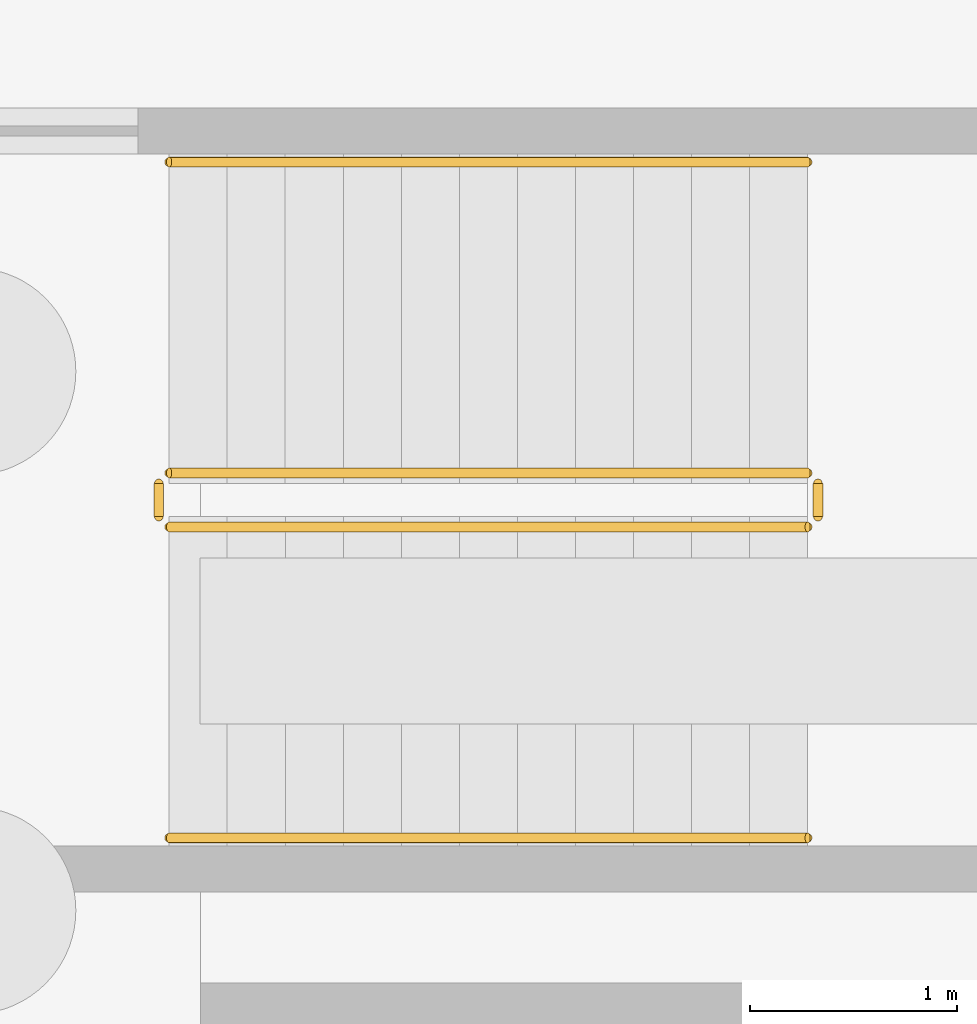
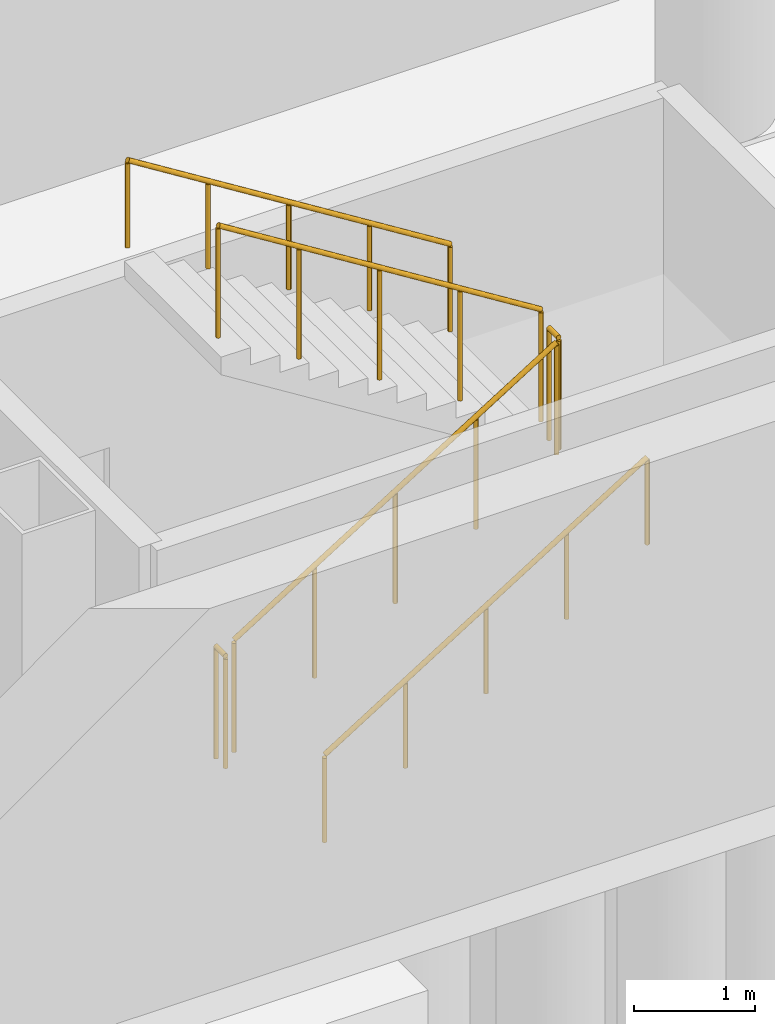
# One storey, part 10 of 16: 6 railings.
"""IFC4 building model written with IfcOpenShell, lengths in metres."""

from ifc_helpers import new_model, si_unit, direction, frame, origin, origin_2d, place, context, subcontext, project, spatial, circle, extrude, material, type_object, element, save


model = new_model("IFC4")

# Units and contexts
model_context = context("Model", 3, precision=1e-05, world=origin(), true_north=direction((0.0, 1.0)))
body_context = subcontext(model_context, "Body", "Model", "MODEL_VIEW")
ifc_project = project(units=[si_unit("LENGTHUNIT", "METRE"), si_unit("AREAUNIT", "SQUARE_METRE"), si_unit("VOLUMEUNIT", "CUBIC_METRE"), si_unit("PLANEANGLEUNIT", "RADIAN"), si_unit("MASSUNIT", "GRAM", prefix="KILO")], contexts=[model_context])

# Site, building, storey
site_placement = place(None, origin())
site = spatial("IfcSite", under=ifc_project, at=site_placement, CompositionType="ELEMENT")
building_placement = place(site_placement, origin())
building = spatial("IfcBuilding", under=site, at=building_placement, Name="Kolveth Station Tower", CompositionType="ELEMENT")
storey_placement = place(building_placement, frame((0.0, 0.0, -8.39990234375)))
storey = spatial("IfcBuildingStorey", under=building, at=storey_placement, Name="B2", CompositionType="ELEMENT", Elevation=-8.39990234375)

# Railings
ifc_material_1 = material(Name="Painted Steel S355 balustrade", Category="steel")
railing_type_1 = type_object("IfcRailingType", Name="Guard_GR2", PredefinedType="BALUSTRADE", material=ifc_material_1)
railing_1_placement = place(storey_placement, frame((4.85009765625, -8.64990234375, 0.1748046875)))
element("IfcRailing", 1, at=railing_1_placement, inside=storey, type_object=railing_type_1, Name="B2 ST5 stair guard 1", PredefinedType="BALUSTRADE", context=body_context, shape_type="SweptSolid", body=[
    extrude(circle(Radius=0.02392578125, at=origin_2d()), frame((0.0, 0.0, 1.1259765625), z_axis=(0.847979421464, 0.0, 0.530029150871), x_axis=(0.0, 1.0, 0.0)), (0.0, 0.0, 1.0), 3.632080078125),
    extrude(circle(Radius=0.02099609375, at=origin_2d()), origin(), (0.0, 0.0, 1.0), 1.101806640625),
    extrude(circle(Radius=0.02099609375, at=origin_2d()), frame((0.77001953125, 0.0, 0.481201171875)), (0.0, 0.0, 1.0), 1.101806640625),
    extrude(circle(Radius=0.02099609375, at=origin_2d()), frame((1.5400390625, 0.0, 0.96240234375)), (0.0, 0.0, 1.0), 1.101806640625),
    extrude(circle(Radius=0.02099609375, at=origin_2d()), frame((2.309814453125, 0.0, 1.44384765625)), (0.0, 0.0, 1.0), 1.101806640625),
    extrude(circle(Radius=0.02099609375, at=origin_2d()), frame((3.079833984375, 0.0, 1.925048828125)), (0.0, 0.0, 1.0), 1.101806640625),
])
railing_2_placement = place(storey_placement, frame((7.97998046875, -8.60009765625, 2.099853515625)))
element("IfcRailing", 2, at=railing_2_placement, inside=storey, type_object=railing_type_1, Name="B2 ST5 stair guard 2", PredefinedType="BALUSTRADE", context=body_context, shape_type="SweptSolid", body=[
    extrude(circle(Radius=0.02392578125, at=origin_2d()), frame((0.0, 0.0, 1.1259765625), z_axis=(0.0, 1.0, 0.0), x_axis=(-1.0, 0.0, 0.0)), (0.0, 0.0, 1.0), 0.16015625),
    extrude(circle(Radius=0.02099609375, at=origin_2d()), origin(), (0.0, 0.0, 1.0), 1.101806640625),
    extrude(circle(Radius=0.02099609375, at=origin_2d()), frame((0.0, 0.16015625, 0.0)), (0.0, 0.0, 1.0), 1.101806640625),
])
railing_3_placement = place(storey_placement, frame((7.929931640625, -8.389892578125, 2.27490234375)))
element("IfcRailing", 3, at=railing_3_placement, inside=storey, type_object=railing_type_1, Name="B2 ST5 stair guard 3", PredefinedType="BALUSTRADE", context=body_context, shape_type="SweptSolid", body=[
    extrude(circle(Radius=0.02392578125, at=origin_2d()), frame((0.0, 0.0, 1.1259765625), z_axis=(-0.847979421464, 0.0, 0.530029150871), x_axis=(0.0, -1.0, 0.0)), (0.0, 0.0, 1.0), 3.632080078125),
    extrude(circle(Radius=0.02099609375, at=origin_2d()), origin(), (0.0, 0.0, 1.0), 1.101806640625),
    extrude(circle(Radius=0.02099609375, at=origin_2d()), frame((-0.77001953125, 0.0, 0.481201171875)), (0.0, 0.0, 1.0), 1.101806640625),
    extrude(circle(Radius=0.02099609375, at=origin_2d()), frame((-1.5400390625, 0.0, 0.96240234375)), (0.0, 0.0, 1.0), 1.101806640625),
    extrude(circle(Radius=0.02099609375, at=origin_2d()), frame((-2.309814453125, 0.0, 1.44384765625)), (0.0, 0.0, 1.0), 1.101806640625),
    extrude(circle(Radius=0.02099609375, at=origin_2d()), frame((-3.079833984375, 0.0, 1.925048828125)), (0.0, 0.0, 1.0), 1.101806640625),
])
railing_4_placement = place(storey_placement, frame((4.800048828125, -8.60009765625, 0.0)))
element("IfcRailing", 4, at=railing_4_placement, inside=storey, type_object=railing_type_1, Name="B2 ST5 stair guard 4", PredefinedType="BALUSTRADE", context=body_context, shape_type="SweptSolid", body=[
    extrude(circle(Radius=0.02392578125, at=origin_2d()), frame((0.0, 0.0, 1.1259765625), z_axis=(0.0, 1.0, 0.0), x_axis=(-1.0, 0.0, 0.0)), (0.0, 0.0, 1.0), 0.16015625),
    extrude(circle(Radius=0.02099609375, at=origin_2d()), origin(), (0.0, 0.0, 1.0), 1.101806640625),
    extrude(circle(Radius=0.02099609375, at=origin_2d()), frame((0.0, 0.16015625, 0.0)), (0.0, 0.0, 1.0), 1.101806640625),
])
ifc_material_2 = material(Name="Brushed stainless steel", Category="steel")
railing_type_2 = type_object("IfcRailingType", Name="Handrail_HR1", PredefinedType="HANDRAIL", material=ifc_material_2)
railing_5_placement = place(storey_placement, frame((4.85009765625, -10.14990234375, 0.1748046875)))
element("IfcRailing", 5, at=railing_5_placement, inside=storey, type_object=railing_type_2, Name="B2 ST5 stair handrail 1", PredefinedType="HANDRAIL", context=body_context, shape_type="SweptSolid", body=[
    extrude(circle(Radius=0.02392578125, at=origin_2d()), frame((0.0, 0.0, 0.8759765625), z_axis=(0.847979421464, 0.0, 0.530029150871), x_axis=(0.0, 1.0, 0.0)), (0.0, 0.0, 1.0), 3.632080078125),
    extrude(circle(Radius=0.02099609375, at=origin_2d()), origin(), (0.0, 0.0, 1.0), 0.851806640625),
    extrude(circle(Radius=0.02099609375, at=origin_2d()), frame((0.77001953125, 0.0, 0.481201171875)), (0.0, 0.0, 1.0), 0.851806640625),
    extrude(circle(Radius=0.02099609375, at=origin_2d()), frame((1.5400390625, 0.0, 0.96240234375)), (0.0, 0.0, 1.0), 0.851806640625),
    extrude(circle(Radius=0.02099609375, at=origin_2d()), frame((2.309814453125, 0.0, 1.44384765625)), (0.0, 0.0, 1.0), 0.851806640625),
    extrude(circle(Radius=0.02099609375, at=origin_2d()), frame((3.079833984375, 0.0, 1.925048828125)), (0.0, 0.0, 1.0), 0.851806640625),
])
railing_6_placement = place(storey_placement, frame((7.929931640625, -6.889892578125, 2.27490234375)))
element("IfcRailing", 6, at=railing_6_placement, inside=storey, type_object=railing_type_2, Name="B2 ST5 stair handrail 2", PredefinedType="HANDRAIL", context=body_context, shape_type="SweptSolid", body=[
    extrude(circle(Radius=0.02392578125, at=origin_2d()), frame((0.0, 0.0, 0.8759765625), z_axis=(-0.847979421464, 0.0, 0.530029150871), x_axis=(0.0, -1.0, 0.0)), (0.0, 0.0, 1.0), 3.632080078125),
    extrude(circle(Radius=0.02099609375, at=origin_2d()), origin(), (0.0, 0.0, 1.0), 0.851806640625),
    extrude(circle(Radius=0.02099609375, at=origin_2d()), frame((-0.77001953125, 0.0, 0.481201171875)), (0.0, 0.0, 1.0), 0.851806640625),
    extrude(circle(Radius=0.02099609375, at=origin_2d()), frame((-1.5400390625, 0.0, 0.96240234375)), (0.0, 0.0, 1.0), 0.851806640625),
    extrude(circle(Radius=0.02099609375, at=origin_2d()), frame((-2.309814453125, 0.0, 1.44384765625)), (0.0, 0.0, 1.0), 0.851806640625),
    extrude(circle(Radius=0.02099609375, at=origin_2d()), frame((-3.079833984375, 0.0, 1.925048828125)), (0.0, 0.0, 1.0), 0.851806640625),
])

save(model, "model.ifc")
